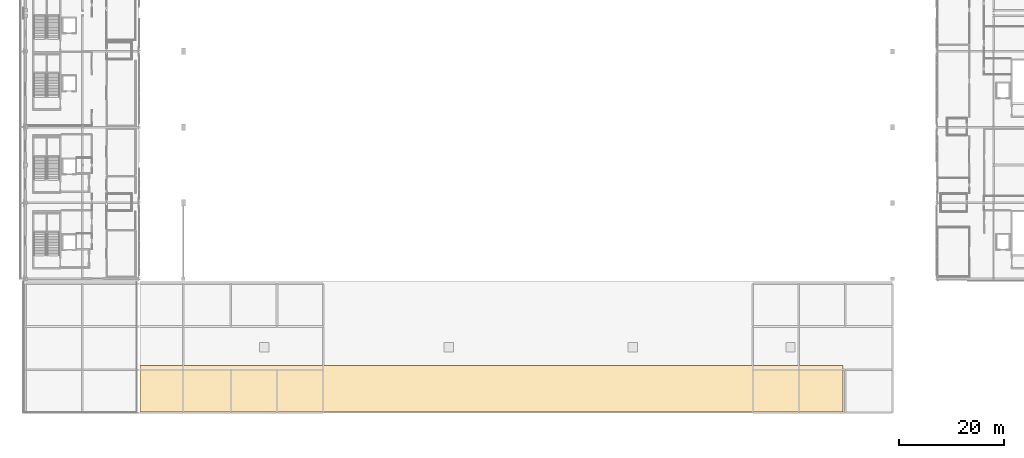
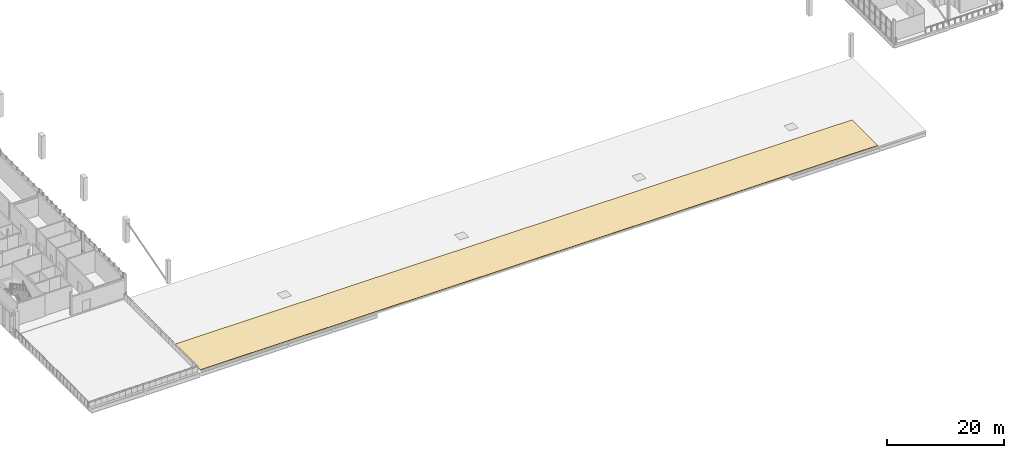
# One storey, part 45 of 51: 1 covering.
"""IFC4 building model written with IfcOpenShell, lengths in metres."""

from ifc_helpers import new_model, si_unit, direction, frame, origin, place, context, subcontext, project, spatial, polyline, outline, extrude, material, layer, layer_set, type_object, element, save


model = new_model("IFC4")

# Units and contexts
model_context = context("Model", 3, precision=1e-05, world=origin(), true_north=direction((0.0, 1.0)))
body_context = subcontext(model_context, "Body", "Model", "MODEL_VIEW")
ifc_project = project(units=[si_unit("LENGTHUNIT", "METRE"), si_unit("AREAUNIT", "SQUARE_METRE"), si_unit("VOLUMEUNIT", "CUBIC_METRE"), si_unit("PLANEANGLEUNIT", "RADIAN"), si_unit("MASSUNIT", "GRAM", prefix="KILO")], contexts=[model_context])

# Site, building, storey
site_placement = place(None, origin())
site = spatial("IfcSite", under=ifc_project, at=site_placement, CompositionType="ELEMENT")
building_placement = place(site_placement, origin())
building = spatial("IfcBuilding", under=site, at=building_placement, Name="Koshinbarg Plaza Stadium", CompositionType="ELEMENT")
storey_placement = place(building_placement, frame((0.0, 0.0, 24.60009765625)))
storey = spatial("IfcBuildingStorey", under=building, at=storey_placement, Name="L05", CompositionType="ELEMENT", Elevation=24.60009765625)

# Covering
ifc_material = material(Name="EPDM waterproofing membrane and rigid mineral-wool roof insulation")
ifc_layer = layer(ifc_material, 0.080078125)
ifc_layer_set = layer_set([ifc_layer], Name="EPDM waterproofing membrane and rigid mineral-wool roof insulation")
covering_type = type_object("IfcCoveringType", Name="COV-ROOFING-01", PredefinedType="ROOFING", material=ifc_layer_set)
covering_placement = place(storey_placement, origin())
element("IfcCovering", 1, at=covering_placement, inside=storey, type_object=covering_type, Name="L05 insulated membrane roofing RFG-V4-M", PredefinedType="ROOFING", context=body_context, shape_type="SweptSolid", body=[
    extrude(outline(polyline([(46.39990234375, 0.199951171875), (180.0, 0.199951171875), (180.0, 9.0), (46.39990234375, 9.0), (46.39990234375, 0.199951171875)])), origin(), (0.0, 0.0, 1.0), 0.079833984375),
])

save(model, "model.ifc")
